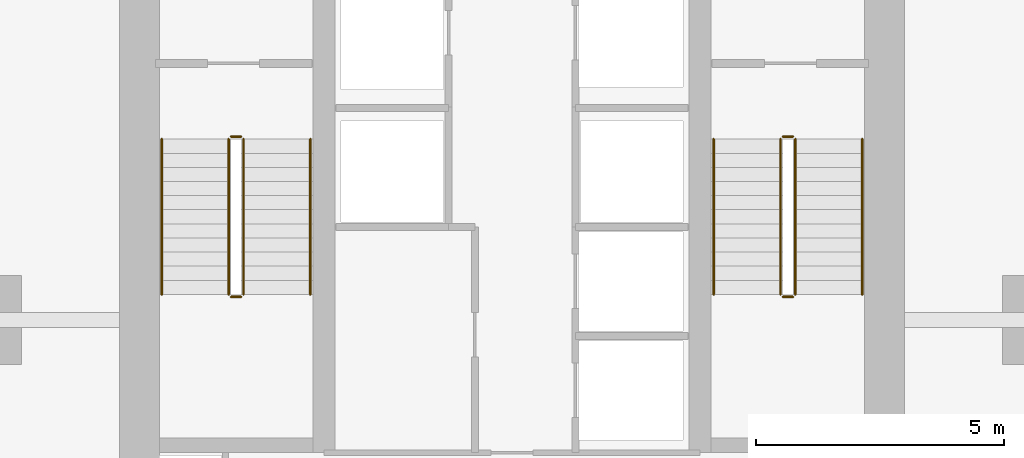
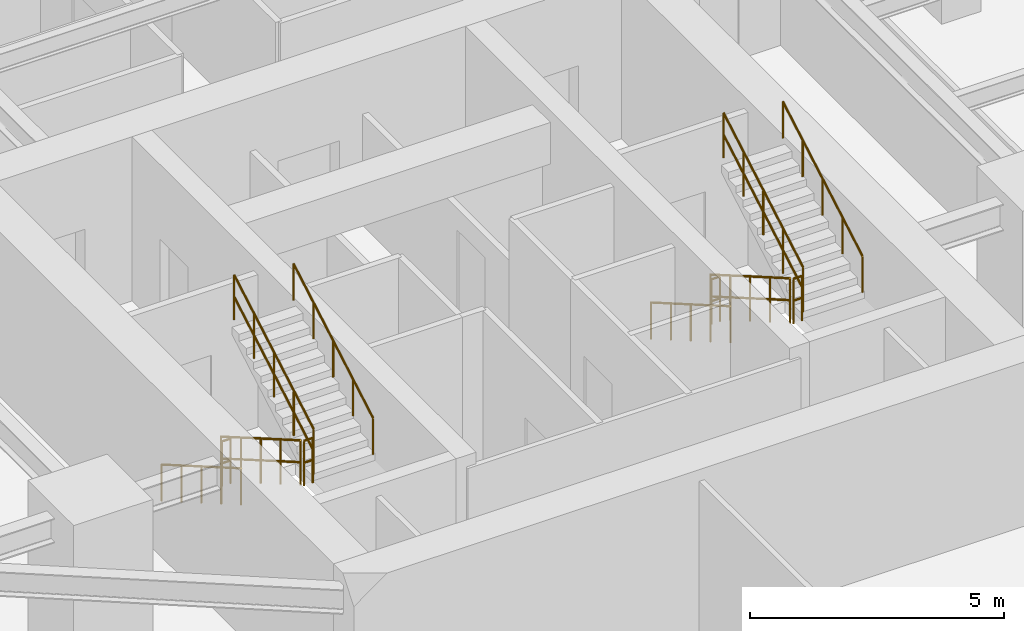
# One storey, part 24 of 25: 12 railings.
"""IFC4 building model written with IfcOpenShell, lengths in metres."""

import ifcopenshell
import ifcopenshell.guid

model = None  # the IFC model being written
_history = None  # IfcOwnerHistory: only IFC2X3 demands one
_inside = {}  # id of a spatial element -> (the spatial element, [elements in it])
_under = {}  # id of a project, library or spatial element -> (it, [spatial elements below it])
_declared = {}  # id of a project -> (the project, [libraries it declares])
_typed = {}  # id of a type object -> (the type object, [elements of that type])
_made_of = {}  # id of a material, layer set ... -> (it, [elements and type objects made of it])


def new_model(schema):
    """Start an empty IFC model of exactly this schema.

    Asked for "IFC4X3", IfcOpenShell would pick the latest addendum, in which some entities
    have other attributes; the version numbers below select the first issue.
    IFC2X3 requires an IfcOwnerHistory on every rooted entity: one is made here for all.
    """
    global model, _history
    if schema == "IFC4X3":
        model = ifcopenshell.file(schema_version=(4, 3, 0, 0))
    else:
        model = ifcopenshell.file(schema=schema)
    _inside.clear()
    _under.clear()
    _declared.clear()
    _typed.clear()
    _made_of.clear()
    _history = None
    if model.schema == "IFC2X3":
        org = make("IfcOrganization", Name="unknown")
        user = make(
            "IfcPersonAndOrganization",
            ThePerson=make("IfcPerson", FamilyName="unknown"),
            TheOrganization=org,
        )
        app = make(
            "IfcApplication",
            ApplicationDeveloper=org,
            Version="unknown",
            ApplicationFullName="unknown",
            ApplicationIdentifier="unknown",
        )
        _history = make(
            "IfcOwnerHistory",
            OwningUser=user,
            OwningApplication=app,
            ChangeAction="ADDED",
            CreationDate=0,
        )
    return model


def make(cls, **values):
    """One entity of the class cls with the attributes given. An attribute that is None is left unset."""
    return model.create_entity(
        cls, **{name: value for name, value in values.items() if value is not None}
    )


def rooted(cls, **values):
    """An entity with a GlobalId (a new one), such as an element, a storey or a relation."""
    return make(cls, GlobalId=ifcopenshell.guid.new(), OwnerHistory=_history, **values)


def si_unit(unit_type, name, prefix=None):
    """IfcSIUnit, for example si_unit("LENGTHUNIT", "METRE", prefix="MILLI")."""
    return make("IfcSIUnit", UnitType=unit_type, Prefix=prefix, Name=name)


def assignment(units):
    """IfcUnitAssignment: the units of a project."""
    return None if units is None else make("IfcUnitAssignment", Units=units)


def point(xyz):
    """IfcCartesianPoint."""
    return None if xyz is None else make("IfcCartesianPoint", Coordinates=xyz)


def direction(xyz):
    """IfcDirection."""
    return None if xyz is None else make("IfcDirection", DirectionRatios=xyz)


def frame(location, z_axis=None, x_axis=None):
    """IfcAxis2Placement3D, a coordinate frame: its origin and axes. An axis left out is left unset."""
    return make(
        "IfcAxis2Placement3D",
        Location=point(location),
        Axis=direction(z_axis),
        RefDirection=direction(x_axis),
    )


def frame_2d(location, x_axis=None):
    """IfcAxis2Placement2D, a coordinate frame in the plane: its origin and x axis."""
    return make(
        "IfcAxis2Placement2D", Location=point(location), RefDirection=direction(x_axis)
    )


def origin():
    """The frame at (0, 0, 0) with its axes left unset."""
    return frame((0.0, 0.0, 0.0))


def origin_2d():
    """The frame at (0, 0) in the plane with its x axis left unset."""
    return frame_2d((0.0, 0.0))


def place(relative_to, where):
    """IfcLocalPlacement: puts the frame where relative to a parent placement (None: the world)."""
    return make(
        "IfcLocalPlacement", PlacementRelTo=relative_to, RelativePlacement=where
    )


def context(
    kind, dimensions, precision=None, world=None, true_north=None, identifier=None
):
    """IfcGeometricRepresentationContext, for example the 3D "Model" context."""
    return make(
        "IfcGeometricRepresentationContext",
        ContextIdentifier=identifier,
        ContextType=kind,
        CoordinateSpaceDimension=dimensions,
        Precision=precision,
        WorldCoordinateSystem=world,
        TrueNorth=true_north,
    )


def subcontext(parent, identifier, kind, view, scale=None):
    """IfcGeometricRepresentationSubContext, for example "Body" below "Model"."""
    return make(
        "IfcGeometricRepresentationSubContext",
        ContextIdentifier=identifier,
        ContextType=kind,
        ParentContext=parent,
        TargetScale=scale,
        TargetView=view,
    )


def project(units=None, contexts=None):
    """IfcProject with its units and contexts."""
    return rooted(
        "IfcProject",
        Name="project",
        RepresentationContexts=contexts,
        UnitsInContext=assignment(units),
    )


def spatial(cls, under=None, at=None, **own):
    """A site, building, storey or space (cls), placed at a placement, below another one or the project."""
    s = rooted(cls, ObjectPlacement=at, **own)
    if under is not None:
        _under.setdefault(under.id(), (under, []))[1].append(s)
    return s


def profile(cls, at=None, kind="AREA", **sizes):
    """A parametric profile (cls). Its sizes go by their IFC names, for example OverallWidth=200.0."""
    return make(cls, ProfileType=kind, Position=at, **sizes)


def circle(**sizes):
    """IfcCircleProfileDef."""
    return profile("IfcCircleProfileDef", **sizes)


def extrude(swept, where, along, depth):
    """IfcExtrudedAreaSolid: the profile swept, set in the frame where, extruded along a direction by depth."""
    return make(
        "IfcExtrudedAreaSolid",
        SweptArea=swept,
        Position=where,
        ExtrudedDirection=direction(along),
        Depth=depth,
    )


def shape(context_of_items, identifier, shape_type, items):
    """IfcShapeRepresentation: the items that make up one representation, for example the "Body"."""
    return make(
        "IfcShapeRepresentation",
        ContextOfItems=context_of_items,
        RepresentationIdentifier=identifier,
        RepresentationType=shape_type,
        Items=items,
    )


def material(Name=None, Category=None):
    """IfcMaterial."""
    return make("IfcMaterial", Name=Name, Category=Category)


def layer(
    of_material, thickness, ventilated=None, Name=None, Category=None, Priority=None
):
    """IfcMaterialLayer: one layer of a wall or slab, of a material (None: an air gap)."""
    return make(
        "IfcMaterialLayer",
        Material=of_material,
        LayerThickness=thickness,
        IsVentilated=ventilated,
        Name=Name,
        Category=Category,
        Priority=Priority,
    )


def layer_set(layers, Name=None):
    """IfcMaterialLayerSet."""
    return make("IfcMaterialLayerSet", MaterialLayers=layers, LayerSetName=Name)


def made_of(thing, what):
    """Note that an element or type object is made of a material, layer set ...; save() writes the relation."""
    if what is not None:
        _made_of.setdefault(what.id(), (what, []))[1].append(thing)
    return thing


def type_object(cls, material=None, **own):
    """A type object (cls), such as IfcWallType, which elements share."""
    return made_of(rooted(cls, **own), material)


def element(
    cls,
    number,
    at=None,
    inside=None,
    cuts=None,
    type_object=None,
    material=None,
    context=None,
    identifier="Body",
    shape_type=None,
    held_by="IfcProductDefinitionShape",
    body=None,
    shapes=None,
    **own,
):
    """One element of the class cls, such as IfcWall. Its Tag is "e" and its number.

    at: its placement. inside: the storey or other place that contains it. cuts: it is an
    opening in that element (IfcRelVoidsElement). A single representation is given by context,
    identifier, shape_type and body (its items); several are given by shapes. held_by: the class
    of the entity that holds the representations. save() writes the other relations.
    """
    e = rooted(cls, Tag="e%d" % number, ObjectPlacement=at, **own)
    if body is not None:
        shapes = [shape(context, identifier, shape_type, body)]
    if shapes is not None:
        e.Representation = make(held_by, Representations=shapes)
    if inside is not None:
        _inside.setdefault(inside.id(), (inside, []))[1].append(e)
    if cuts is not None:
        rooted(
            "IfcRelVoidsElement", RelatingBuildingElement=cuts, RelatedOpeningElement=e
        )
    if type_object is not None:
        _typed.setdefault(type_object.id(), (type_object, []))[1].append(e)
    return made_of(e, material)


def aggregate(whole, parts):
    """IfcRelAggregates: a whole, such as a stair, and the parts it consists of."""
    return rooted("IfcRelAggregates", RelatingObject=whole, RelatedObjects=parts)


def save(model, path):
    """Write the relations noted so far, then the file.

    IfcRelAggregates (storeys below a building ...), IfcRelContainedInSpatialStructure (elements
    in a storey), IfcRelDefinesByType, IfcRelAssociatesMaterial and IfcRelDeclares: one each for
    every whole, place, type object, material and project.
    """
    for whole, parts in _under.values():
        aggregate(whole, parts)
    for where, things in _inside.values():
        rooted(
            "IfcRelContainedInSpatialStructure",
            RelatedElements=things,
            RelatingStructure=where,
        )
    for kind, things in _typed.values():
        rooted("IfcRelDefinesByType", RelatedObjects=things, RelatingType=kind)
    for what, things in _made_of.values():
        rooted("IfcRelAssociatesMaterial", RelatedObjects=things, RelatingMaterial=what)
    for by, libraries in _declared.values():
        rooted("IfcRelDeclares", RelatingContext=by, RelatedDefinitions=libraries)
    model.write(path)


model = new_model("IFC4")

# Units and contexts
model_context = context("Model", 3, precision=1e-05, world=origin(), true_north=direction((0.0, 1.0)))
body_context = subcontext(model_context, "Body", "Model", "MODEL_VIEW")
ifc_project = project(units=[si_unit("LENGTHUNIT", "METRE"), si_unit("AREAUNIT", "SQUARE_METRE"), si_unit("VOLUMEUNIT", "CUBIC_METRE"), si_unit("PLANEANGLEUNIT", "RADIAN"), si_unit("MASSUNIT", "GRAM", prefix="KILO")], contexts=[model_context])

# Site, building, storey
site_placement = place(None, origin())
site = spatial("IfcSite", under=ifc_project, at=site_placement, CompositionType="ELEMENT")
building_placement = place(site_placement, origin())
building = spatial("IfcBuilding", under=site, at=building_placement, Name="Krantzveldt Concourse Tower", CompositionType="ELEMENT")
storey_placement = place(building_placement, frame((0.0, 0.0, 177.800048828125)))
storey = spatial("IfcBuildingStorey", under=building, at=storey_placement, Name="L43", CompositionType="ELEMENT", Elevation=177.800048828125)

# Railings
ifc_material = material(Name="Stainless steel 316L", Category="steel")
ifc_layer_1 = layer(ifc_material, 0.06005859375, Name="Stainless steel 316L", Category="steel")
ifc_layer_set_1 = layer_set([ifc_layer_1], Name="Stainless steel 316L (RL-GUARD-1120)")
railing_type_1 = type_object("IfcRailingType", Name="RL-GUARD-1120", PredefinedType="GUARDRAIL", material=ifc_layer_set_1)
railing_1_placement = place(storey_placement, frame((30.280029296875, 19.550048828125, 0.16455078125)))
element("IfcRailing", 1, at=railing_1_placement, inside=storey, type_object=railing_type_1, Name="L43 ST-1 stair guard 1", PredefinedType="GUARDRAIL", context=body_context, shape_type="SweptSolid", body=[
    extrude(circle(Radius=0.02392578125, at=origin_2d()), frame((0.0, 0.0, 1.076171875), z_axis=(0.0, -0.865989039225, 0.500062979975), x_axis=(1.0, 0.0, 0.0)), (0.0, 0.0, 1.0), 3.6201171875),
    extrude(circle(Radius=0.02392578125, at=origin_2d()), frame((0.0, 0.0, 0.550048828125), z_axis=(0.0, -0.865989039225, 0.500062979975), x_axis=(1.0, 0.0, 0.0)), (0.0, 0.0, 1.0), 3.6201171875),
    extrude(circle(Radius=0.02099609375, at=origin_2d()), origin(), (0.0, 0.0, 1.0), 1.052001953125),
    extrude(circle(Radius=0.02099609375, at=origin_2d()), frame((0.0, -0.78369140625, 0.45263671875)), (0.0, 0.0, 1.0), 1.052001953125),
    extrude(circle(Radius=0.02099609375, at=origin_2d()), frame((0.0, -1.5673828125, 0.9052734375)), (0.0, 0.0, 1.0), 1.052001953125),
    extrude(circle(Radius=0.02099609375, at=origin_2d()), frame((0.0, -2.351318359375, 1.357666015625)), (0.0, 0.0, 1.0), 1.052001953125),
    extrude(circle(Radius=0.02099609375, at=origin_2d()), frame((0.0, -3.135009765625, 1.810302734375)), (0.0, 0.0, 1.0), 1.052001953125),
])
railing_2_placement = place(storey_placement, frame((30.330078125, 16.364990234375, 1.974853515625)))
element("IfcRailing", 2, at=railing_2_placement, inside=storey, type_object=railing_type_1, Name="L43 ST-1 stair guard 2", PredefinedType="GUARDRAIL", context=body_context, shape_type="SweptSolid", body=[
    extrude(circle(Radius=0.02392578125, at=origin_2d()), frame((0.0, 0.0, 1.076171875), z_axis=(1.0, 0.0, 0.0), x_axis=(0.0, 1.0, 0.0)), (0.0, 0.0, 1.0), 0.199951171875),
    extrude(circle(Radius=0.02392578125, at=origin_2d()), frame((0.0, 0.0, 0.550048828125), z_axis=(1.0, 0.0, 0.0), x_axis=(0.0, 1.0, 0.0)), (0.0, 0.0, 1.0), 0.199951171875),
    extrude(circle(Radius=0.02099609375, at=origin_2d()), origin(), (0.0, 0.0, 1.0), 1.052001953125),
    extrude(circle(Radius=0.02099609375, at=origin_2d()), frame((0.199951171875, 0.0, 0.0)), (0.0, 0.0, 1.0), 1.052001953125),
])
railing_3_placement = place(storey_placement, frame((30.580078125, 16.4150390625, 2.1396484375)))
element("IfcRailing", 3, at=railing_3_placement, inside=storey, type_object=railing_type_1, Name="L43 ST-1 stair guard 3", PredefinedType="GUARDRAIL", context=body_context, shape_type="SweptSolid", body=[
    extrude(circle(Radius=0.02392578125, at=origin_2d()), frame((0.0, 0.0, 1.076171875), z_axis=(0.0, 0.865989039225, 0.500062979975), x_axis=(-1.0, 0.0, 0.0)), (0.0, 0.0, 1.0), 3.6201171875),
    extrude(circle(Radius=0.02392578125, at=origin_2d()), frame((0.0, 0.0, 0.550048828125), z_axis=(0.0, 0.865989039225, 0.500062979975), x_axis=(-1.0, 0.0, 0.0)), (0.0, 0.0, 1.0), 3.6201171875),
    extrude(circle(Radius=0.02099609375, at=origin_2d()), origin(), (0.0, 0.0, 1.0), 1.052001953125),
    extrude(circle(Radius=0.02099609375, at=origin_2d()), frame((0.0, 0.78369140625, 0.45263671875)), (0.0, 0.0, 1.0), 1.052001953125),
    extrude(circle(Radius=0.02099609375, at=origin_2d()), frame((0.0, 1.5673828125, 0.9052734375)), (0.0, 0.0, 1.0), 1.052001953125),
    extrude(circle(Radius=0.02099609375, at=origin_2d()), frame((0.0, 2.351318359375, 1.357666015625)), (0.0, 0.0, 1.0), 1.052001953125),
    extrude(circle(Radius=0.02099609375, at=origin_2d()), frame((0.0, 3.135009765625, 1.810302734375)), (0.0, 0.0, 1.0), 1.052001953125),
])
railing_4_placement = place(storey_placement, frame((30.330078125, 19.60009765625, 0.0)))
element("IfcRailing", 4, at=railing_4_placement, inside=storey, type_object=railing_type_1, Name="L43 ST-1 stair guard 4", PredefinedType="GUARDRAIL", context=body_context, shape_type="SweptSolid", body=[
    extrude(circle(Radius=0.02392578125, at=origin_2d()), frame((0.0, 0.0, 1.076171875), z_axis=(1.0, 0.0, 0.0), x_axis=(0.0, 1.0, 0.0)), (0.0, 0.0, 1.0), 0.199951171875),
    extrude(circle(Radius=0.02392578125, at=origin_2d()), frame((0.0, 0.0, 0.550048828125), z_axis=(1.0, 0.0, 0.0), x_axis=(0.0, 1.0, 0.0)), (0.0, 0.0, 1.0), 0.199951171875),
    extrude(circle(Radius=0.02099609375, at=origin_2d()), origin(), (0.0, 0.0, 1.0), 1.052001953125),
    extrude(circle(Radius=0.02099609375, at=origin_2d()), frame((0.199951171875, 0.0, 0.0)), (0.0, 0.0, 1.0), 1.052001953125),
])
railing_5_placement = place(storey_placement, frame((41.419921875, 19.550048828125, 0.16455078125)))
element("IfcRailing", 5, at=railing_5_placement, inside=storey, type_object=railing_type_1, Name="L43 ST-2 stair guard 1", PredefinedType="GUARDRAIL", context=body_context, shape_type="SweptSolid", body=[
    extrude(circle(Radius=0.02392578125, at=origin_2d()), frame((0.0, 0.0, 1.076171875), z_axis=(0.0, -0.865989039225, 0.500062979975), x_axis=(1.0, 0.0, 0.0)), (0.0, 0.0, 1.0), 3.6201171875),
    extrude(circle(Radius=0.02392578125, at=origin_2d()), frame((0.0, 0.0, 0.550048828125), z_axis=(0.0, -0.865989039225, 0.500062979975), x_axis=(1.0, 0.0, 0.0)), (0.0, 0.0, 1.0), 3.6201171875),
    extrude(circle(Radius=0.02099609375, at=origin_2d()), origin(), (0.0, 0.0, 1.0), 1.052001953125),
    extrude(circle(Radius=0.02099609375, at=origin_2d()), frame((0.0, -0.78369140625, 0.45263671875)), (0.0, 0.0, 1.0), 1.052001953125),
    extrude(circle(Radius=0.02099609375, at=origin_2d()), frame((0.0, -1.5673828125, 0.9052734375)), (0.0, 0.0, 1.0), 1.052001953125),
    extrude(circle(Radius=0.02099609375, at=origin_2d()), frame((0.0, -2.351318359375, 1.357666015625)), (0.0, 0.0, 1.0), 1.052001953125),
    extrude(circle(Radius=0.02099609375, at=origin_2d()), frame((0.0, -3.135009765625, 1.810302734375)), (0.0, 0.0, 1.0), 1.052001953125),
])
railing_6_placement = place(storey_placement, frame((41.469970703125, 16.364990234375, 1.974853515625)))
element("IfcRailing", 6, at=railing_6_placement, inside=storey, type_object=railing_type_1, Name="L43 ST-2 stair guard 2", PredefinedType="GUARDRAIL", context=body_context, shape_type="SweptSolid", body=[
    extrude(circle(Radius=0.02392578125, at=origin_2d()), frame((0.0, 0.0, 1.076171875), z_axis=(1.0, 0.0, 0.0), x_axis=(0.0, 1.0, 0.0)), (0.0, 0.0, 1.0), 0.199951171875),
    extrude(circle(Radius=0.02392578125, at=origin_2d()), frame((0.0, 0.0, 0.550048828125), z_axis=(1.0, 0.0, 0.0), x_axis=(0.0, 1.0, 0.0)), (0.0, 0.0, 1.0), 0.199951171875),
    extrude(circle(Radius=0.02099609375, at=origin_2d()), origin(), (0.0, 0.0, 1.0), 1.052001953125),
    extrude(circle(Radius=0.02099609375, at=origin_2d()), frame((0.199951171875, 0.0, 0.0)), (0.0, 0.0, 1.0), 1.052001953125),
])
railing_7_placement = place(storey_placement, frame((41.719970703125, 16.4150390625, 2.1396484375)))
element("IfcRailing", 7, at=railing_7_placement, inside=storey, type_object=railing_type_1, Name="L43 ST-2 stair guard 3", PredefinedType="GUARDRAIL", context=body_context, shape_type="SweptSolid", body=[
    extrude(circle(Radius=0.02392578125, at=origin_2d()), frame((0.0, 0.0, 1.076171875), z_axis=(0.0, 0.865989039225, 0.500062979975), x_axis=(-1.0, 0.0, 0.0)), (0.0, 0.0, 1.0), 3.6201171875),
    extrude(circle(Radius=0.02392578125, at=origin_2d()), frame((0.0, 0.0, 0.550048828125), z_axis=(0.0, 0.865989039225, 0.500062979975), x_axis=(-1.0, 0.0, 0.0)), (0.0, 0.0, 1.0), 3.6201171875),
    extrude(circle(Radius=0.02099609375, at=origin_2d()), origin(), (0.0, 0.0, 1.0), 1.052001953125),
    extrude(circle(Radius=0.02099609375, at=origin_2d()), frame((0.0, 0.78369140625, 0.45263671875)), (0.0, 0.0, 1.0), 1.052001953125),
    extrude(circle(Radius=0.02099609375, at=origin_2d()), frame((0.0, 1.5673828125, 0.9052734375)), (0.0, 0.0, 1.0), 1.052001953125),
    extrude(circle(Radius=0.02099609375, at=origin_2d()), frame((0.0, 2.351318359375, 1.357666015625)), (0.0, 0.0, 1.0), 1.052001953125),
    extrude(circle(Radius=0.02099609375, at=origin_2d()), frame((0.0, 3.135009765625, 1.810302734375)), (0.0, 0.0, 1.0), 1.052001953125),
])
railing_8_placement = place(storey_placement, frame((41.469970703125, 19.60009765625, 0.0)))
element("IfcRailing", 8, at=railing_8_placement, inside=storey, type_object=railing_type_1, Name="L43 ST-2 stair guard 4", PredefinedType="GUARDRAIL", context=body_context, shape_type="SweptSolid", body=[
    extrude(circle(Radius=0.02392578125, at=origin_2d()), frame((0.0, 0.0, 1.076171875), z_axis=(1.0, 0.0, 0.0), x_axis=(0.0, 1.0, 0.0)), (0.0, 0.0, 1.0), 0.199951171875),
    extrude(circle(Radius=0.02392578125, at=origin_2d()), frame((0.0, 0.0, 0.550048828125), z_axis=(1.0, 0.0, 0.0), x_axis=(0.0, 1.0, 0.0)), (0.0, 0.0, 1.0), 0.199951171875),
    extrude(circle(Radius=0.02099609375, at=origin_2d()), origin(), (0.0, 0.0, 1.0), 1.052001953125),
    extrude(circle(Radius=0.02099609375, at=origin_2d()), frame((0.199951171875, 0.0, 0.0)), (0.0, 0.0, 1.0), 1.052001953125),
])
ifc_layer_2 = layer(ifc_material, 0.050048828125, Name="Stainless steel 316L", Category="steel")
ifc_layer_set_2 = layer_set([ifc_layer_2], Name="Stainless steel 316L (RL-HANDRAIL-920)")
railing_type_2 = type_object("IfcRailingType", Name="RL-HANDRAIL-920", PredefinedType="HANDRAIL", material=ifc_layer_set_2)
railing_9_placement = place(storey_placement, frame((28.929931640625, 19.550048828125, 0.16455078125)))
element("IfcRailing", 9, at=railing_9_placement, inside=storey, type_object=railing_type_2, Name="L43 ST-1 stair handrail 1", PredefinedType="HANDRAIL", context=body_context, shape_type="SweptSolid", body=[
    extrude(circle(Radius=0.02392578125, at=origin_2d()), frame((0.0, 0.0, 0.8759765625), z_axis=(0.0, -0.865989039225, 0.500062979975), x_axis=(1.0, 0.0, 0.0)), (0.0, 0.0, 1.0), 3.6201171875),
    extrude(circle(Radius=0.02099609375, at=origin_2d()), origin(), (0.0, 0.0, 1.0), 0.851806640625),
    extrude(circle(Radius=0.02099609375, at=origin_2d()), frame((0.0, -0.78369140625, 0.45263671875)), (0.0, 0.0, 1.0), 0.851806640625),
    extrude(circle(Radius=0.02099609375, at=origin_2d()), frame((0.0, -1.5673828125, 0.9052734375)), (0.0, 0.0, 1.0), 0.851806640625),
    extrude(circle(Radius=0.02099609375, at=origin_2d()), frame((0.0, -2.351318359375, 1.357666015625)), (0.0, 0.0, 1.0), 0.851806640625),
    extrude(circle(Radius=0.02099609375, at=origin_2d()), frame((0.0, -3.135009765625, 1.810302734375)), (0.0, 0.0, 1.0), 0.851806640625),
])
railing_10_placement = place(storey_placement, frame((31.929931640625, 16.4150390625, 2.1396484375)))
element("IfcRailing", 10, at=railing_10_placement, inside=storey, type_object=railing_type_2, Name="L43 ST-1 stair handrail 2", PredefinedType="HANDRAIL", context=body_context, shape_type="SweptSolid", body=[
    extrude(circle(Radius=0.02392578125, at=origin_2d()), frame((0.0, 0.0, 0.8759765625), z_axis=(0.0, 0.865989039225, 0.500062979975), x_axis=(-1.0, 0.0, 0.0)), (0.0, 0.0, 1.0), 3.6201171875),
    extrude(circle(Radius=0.02099609375, at=origin_2d()), origin(), (0.0, 0.0, 1.0), 0.851806640625),
    extrude(circle(Radius=0.02099609375, at=origin_2d()), frame((0.0, 0.78369140625, 0.45263671875)), (0.0, 0.0, 1.0), 0.851806640625),
    extrude(circle(Radius=0.02099609375, at=origin_2d()), frame((0.0, 1.5673828125, 0.9052734375)), (0.0, 0.0, 1.0), 0.851806640625),
    extrude(circle(Radius=0.02099609375, at=origin_2d()), frame((0.0, 2.351318359375, 1.357666015625)), (0.0, 0.0, 1.0), 0.851806640625),
    extrude(circle(Radius=0.02099609375, at=origin_2d()), frame((0.0, 3.135009765625, 1.810302734375)), (0.0, 0.0, 1.0), 0.851806640625),
])
railing_11_placement = place(storey_placement, frame((40.070068359375, 19.550048828125, 0.16455078125)))
element("IfcRailing", 11, at=railing_11_placement, inside=storey, type_object=railing_type_2, Name="L43 ST-2 stair handrail 1", PredefinedType="HANDRAIL", context=body_context, shape_type="SweptSolid", body=[
    extrude(circle(Radius=0.02392578125, at=origin_2d()), frame((0.0, 0.0, 0.8759765625), z_axis=(0.0, -0.865989039225, 0.500062979975), x_axis=(1.0, 0.0, 0.0)), (0.0, 0.0, 1.0), 3.6201171875),
    extrude(circle(Radius=0.02099609375, at=origin_2d()), origin(), (0.0, 0.0, 1.0), 0.851806640625),
    extrude(circle(Radius=0.02099609375, at=origin_2d()), frame((0.0, -0.78369140625, 0.45263671875)), (0.0, 0.0, 1.0), 0.851806640625),
    extrude(circle(Radius=0.02099609375, at=origin_2d()), frame((0.0, -1.5673828125, 0.9052734375)), (0.0, 0.0, 1.0), 0.851806640625),
    extrude(circle(Radius=0.02099609375, at=origin_2d()), frame((0.0, -2.351318359375, 1.357666015625)), (0.0, 0.0, 1.0), 0.851806640625),
    extrude(circle(Radius=0.02099609375, at=origin_2d()), frame((0.0, -3.135009765625, 1.810302734375)), (0.0, 0.0, 1.0), 0.851806640625),
])
railing_12_placement = place(storey_placement, frame((43.070068359375, 16.4150390625, 2.1396484375)))
element("IfcRailing", 12, at=railing_12_placement, inside=storey, type_object=railing_type_2, Name="L43 ST-2 stair handrail 2", PredefinedType="HANDRAIL", context=body_context, shape_type="SweptSolid", body=[
    extrude(circle(Radius=0.02392578125, at=origin_2d()), frame((0.0, 0.0, 0.8759765625), z_axis=(0.0, 0.865989039225, 0.500062979975), x_axis=(-1.0, 0.0, 0.0)), (0.0, 0.0, 1.0), 3.6201171875),
    extrude(circle(Radius=0.02099609375, at=origin_2d()), origin(), (0.0, 0.0, 1.0), 0.851806640625),
    extrude(circle(Radius=0.02099609375, at=origin_2d()), frame((0.0, 0.78369140625, 0.45263671875)), (0.0, 0.0, 1.0), 0.851806640625),
    extrude(circle(Radius=0.02099609375, at=origin_2d()), frame((0.0, 1.5673828125, 0.9052734375)), (0.0, 0.0, 1.0), 0.851806640625),
    extrude(circle(Radius=0.02099609375, at=origin_2d()), frame((0.0, 2.351318359375, 1.357666015625)), (0.0, 0.0, 1.0), 0.851806640625),
    extrude(circle(Radius=0.02099609375, at=origin_2d()), frame((0.0, 3.135009765625, 1.810302734375)), (0.0, 0.0, 1.0), 0.851806640625),
])

save(model, "model.ifc")
